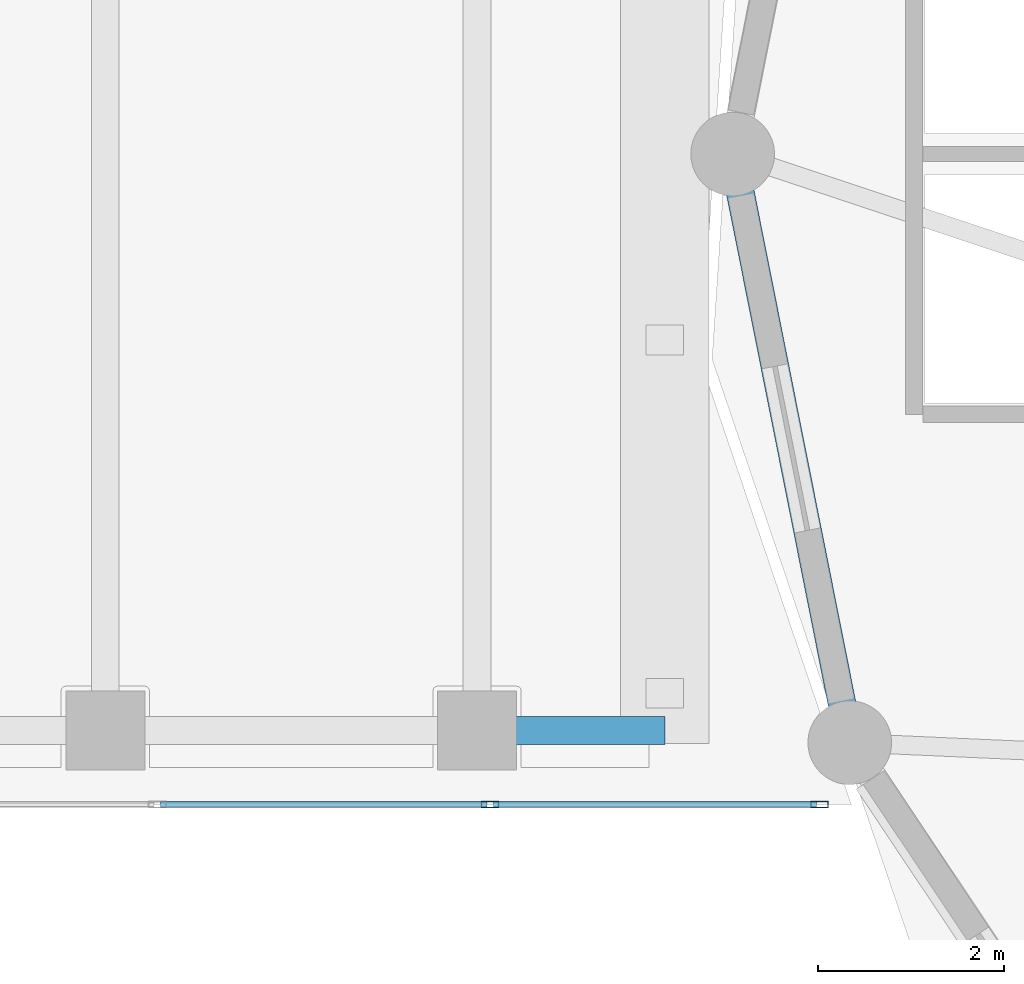
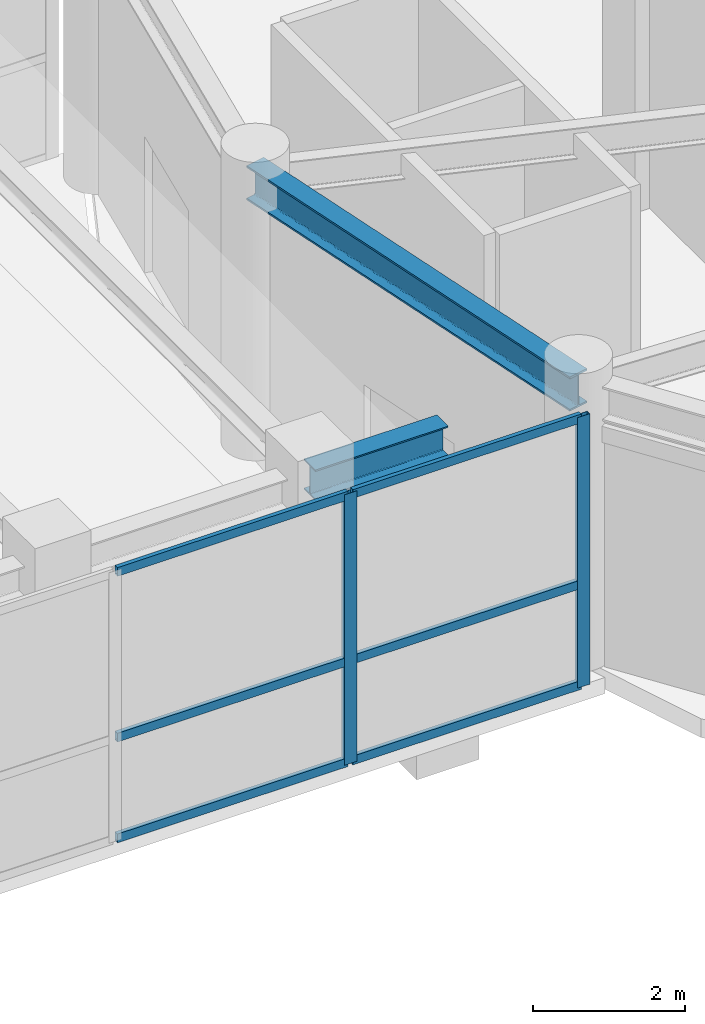
# One storey, part 20 of 44: 8 members, 2 beams, 1 element without a shape of its own.
"""IFC4 building model written with IfcOpenShell, lengths in metres."""

import ifcopenshell
import ifcopenshell.guid

model = None  # the IFC model being written
_history = None  # IfcOwnerHistory: only IFC2X3 demands one
_inside = {}  # id of a spatial element -> (the spatial element, [elements in it])
_under = {}  # id of a project, library or spatial element -> (it, [spatial elements below it])
_declared = {}  # id of a project -> (the project, [libraries it declares])
_typed = {}  # id of a type object -> (the type object, [elements of that type])
_made_of = {}  # id of a material, layer set ... -> (it, [elements and type objects made of it])


def new_model(schema):
    """Start an empty IFC model of exactly this schema.

    Asked for "IFC4X3", IfcOpenShell would pick the latest addendum, in which some entities
    have other attributes; the version numbers below select the first issue.
    IFC2X3 requires an IfcOwnerHistory on every rooted entity: one is made here for all.
    """
    global model, _history
    if schema == "IFC4X3":
        model = ifcopenshell.file(schema_version=(4, 3, 0, 0))
    else:
        model = ifcopenshell.file(schema=schema)
    _inside.clear()
    _under.clear()
    _declared.clear()
    _typed.clear()
    _made_of.clear()
    _history = None
    if model.schema == "IFC2X3":
        org = make("IfcOrganization", Name="unknown")
        user = make(
            "IfcPersonAndOrganization",
            ThePerson=make("IfcPerson", FamilyName="unknown"),
            TheOrganization=org,
        )
        app = make(
            "IfcApplication",
            ApplicationDeveloper=org,
            Version="unknown",
            ApplicationFullName="unknown",
            ApplicationIdentifier="unknown",
        )
        _history = make(
            "IfcOwnerHistory",
            OwningUser=user,
            OwningApplication=app,
            ChangeAction="ADDED",
            CreationDate=0,
        )
    return model


def make(cls, **values):
    """One entity of the class cls with the attributes given. An attribute that is None is left unset."""
    return model.create_entity(
        cls, **{name: value for name, value in values.items() if value is not None}
    )


def rooted(cls, **values):
    """An entity with a GlobalId (a new one), such as an element, a storey or a relation."""
    return make(cls, GlobalId=ifcopenshell.guid.new(), OwnerHistory=_history, **values)


def si_unit(unit_type, name, prefix=None):
    """IfcSIUnit, for example si_unit("LENGTHUNIT", "METRE", prefix="MILLI")."""
    return make("IfcSIUnit", UnitType=unit_type, Prefix=prefix, Name=name)


def derived_unit(unit_type, elements):
    """IfcDerivedUnit: a product of units, each with its exponent."""
    return make(
        "IfcDerivedUnit",
        Elements=[
            make("IfcDerivedUnitElement", Unit=unit, Exponent=power)
            for unit, power in elements
        ],
        UnitType=unit_type,
    )


def assignment(units):
    """IfcUnitAssignment: the units of a project."""
    return None if units is None else make("IfcUnitAssignment", Units=units)


def point(xyz):
    """IfcCartesianPoint."""
    return None if xyz is None else make("IfcCartesianPoint", Coordinates=xyz)


def direction(xyz):
    """IfcDirection."""
    return None if xyz is None else make("IfcDirection", DirectionRatios=xyz)


def frame(location, z_axis=None, x_axis=None):
    """IfcAxis2Placement3D, a coordinate frame: its origin and axes. An axis left out is left unset."""
    return make(
        "IfcAxis2Placement3D",
        Location=point(location),
        Axis=direction(z_axis),
        RefDirection=direction(x_axis),
    )


def frame_2d(location, x_axis=None):
    """IfcAxis2Placement2D, a coordinate frame in the plane: its origin and x axis."""
    return make(
        "IfcAxis2Placement2D", Location=point(location), RefDirection=direction(x_axis)
    )


def origin():
    """The frame at (0, 0, 0) with its axes left unset."""
    return frame((0.0, 0.0, 0.0))


def origin_2d():
    """The frame at (0, 0) in the plane with its x axis left unset."""
    return frame_2d((0.0, 0.0))


def place(relative_to, where):
    """IfcLocalPlacement: puts the frame where relative to a parent placement (None: the world)."""
    return make(
        "IfcLocalPlacement", PlacementRelTo=relative_to, RelativePlacement=where
    )


def context(
    kind, dimensions, precision=None, world=None, true_north=None, identifier=None
):
    """IfcGeometricRepresentationContext, for example the 3D "Model" context."""
    return make(
        "IfcGeometricRepresentationContext",
        ContextIdentifier=identifier,
        ContextType=kind,
        CoordinateSpaceDimension=dimensions,
        Precision=precision,
        WorldCoordinateSystem=world,
        TrueNorth=true_north,
    )


def subcontext(parent, identifier, kind, view, scale=None):
    """IfcGeometricRepresentationSubContext, for example "Body" below "Model"."""
    return make(
        "IfcGeometricRepresentationSubContext",
        ContextIdentifier=identifier,
        ContextType=kind,
        ParentContext=parent,
        TargetScale=scale,
        TargetView=view,
    )


def project(units=None, contexts=None):
    """IfcProject with its units and contexts."""
    return rooted(
        "IfcProject",
        Name="project",
        RepresentationContexts=contexts,
        UnitsInContext=assignment(units),
    )


def spatial(cls, under=None, at=None, **own):
    """A site, building, storey or space (cls), placed at a placement, below another one or the project."""
    s = rooted(cls, ObjectPlacement=at, **own)
    if under is not None:
        _under.setdefault(under.id(), (under, []))[1].append(s)
    return s


def profile(cls, at=None, kind="AREA", **sizes):
    """A parametric profile (cls). Its sizes go by their IFC names, for example OverallWidth=200.0."""
    return make(cls, ProfileType=kind, Position=at, **sizes)


def hollow_rectangle(**sizes):
    """IfcRectangleHollowProfileDef."""
    return profile("IfcRectangleHollowProfileDef", **sizes)


def i_section(**sizes):
    """IfcIShapeProfileDef."""
    return profile("IfcIShapeProfileDef", **sizes)


def extrude(swept, where, along, depth):
    """IfcExtrudedAreaSolid: the profile swept, set in the frame where, extruded along a direction by depth."""
    return make(
        "IfcExtrudedAreaSolid",
        SweptArea=swept,
        Position=where,
        ExtrudedDirection=direction(along),
        Depth=depth,
    )


def shape(context_of_items, identifier, shape_type, items):
    """IfcShapeRepresentation: the items that make up one representation, for example the "Body"."""
    return make(
        "IfcShapeRepresentation",
        ContextOfItems=context_of_items,
        RepresentationIdentifier=identifier,
        RepresentationType=shape_type,
        Items=items,
    )


def source(mapping_origin, context_of_items, identifier, shape_type, items):
    """IfcRepresentationMap: a shape defined once, which mapped items show again and again."""
    return make(
        "IfcRepresentationMap",
        MappingOrigin=mapping_origin,
        MappedRepresentation=shape(context_of_items, identifier, shape_type, items),
    )


def transform(
    local_origin,
    x_axis=None,
    y_axis=None,
    z_axis=None,
    scale=None,
    scale2=None,
    scale3=None,
    uniform=True,
):
    """IfcCartesianTransformationOperator3D, or its non-uniform kind. x_axis, y_axis, z_axis: its Axis1, 2, 3."""
    if uniform:
        return make(
            "IfcCartesianTransformationOperator3D",
            Axis1=direction(x_axis),
            Axis2=direction(y_axis),
            LocalOrigin=point(local_origin),
            Scale=scale,
            Axis3=direction(z_axis),
        )
    return make(
        "IfcCartesianTransformationOperator3DnonUniform",
        Axis1=direction(x_axis),
        Axis2=direction(y_axis),
        LocalOrigin=point(local_origin),
        Scale=scale,
        Axis3=direction(z_axis),
        Scale2=scale2,
        Scale3=scale3,
    )


def mapped(mapping_source, mapping_target):
    """IfcMappedItem: shows the shape of a source again, moved by a transform."""
    return make(
        "IfcMappedItem", MappingSource=mapping_source, MappingTarget=mapping_target
    )


def material(Name=None, Category=None):
    """IfcMaterial."""
    return make("IfcMaterial", Name=Name, Category=Category)


def layer(
    of_material, thickness, ventilated=None, Name=None, Category=None, Priority=None
):
    """IfcMaterialLayer: one layer of a wall or slab, of a material (None: an air gap)."""
    return make(
        "IfcMaterialLayer",
        Material=of_material,
        LayerThickness=thickness,
        IsVentilated=ventilated,
        Name=Name,
        Category=Category,
        Priority=Priority,
    )


def layer_set(layers, Name=None):
    """IfcMaterialLayerSet."""
    return make("IfcMaterialLayerSet", MaterialLayers=layers, LayerSetName=Name)


def material_profile(
    of_material, cross_section, Name=None, Category=None, Priority=None
):
    """IfcMaterialProfile: a cross section and its material."""
    return make(
        "IfcMaterialProfile",
        Name=Name,
        Material=of_material,
        Profile=cross_section,
        Priority=Priority,
        Category=Category,
    )


def profile_set(profiles, Name=None, composite=None):
    """IfcMaterialProfileSet."""
    return make(
        "IfcMaterialProfileSet",
        Name=Name,
        MaterialProfiles=profiles,
        CompositeProfile=composite,
    )


def made_of(thing, what):
    """Note that an element or type object is made of a material, layer set ...; save() writes the relation."""
    if what is not None:
        _made_of.setdefault(what.id(), (what, []))[1].append(thing)
    return thing


def type_object(cls, material=None, **own):
    """A type object (cls), such as IfcWallType, which elements share."""
    return made_of(rooted(cls, **own), material)


def element(
    cls,
    number,
    at=None,
    inside=None,
    cuts=None,
    type_object=None,
    material=None,
    context=None,
    identifier="Body",
    shape_type=None,
    held_by="IfcProductDefinitionShape",
    body=None,
    shapes=None,
    **own,
):
    """One element of the class cls, such as IfcWall. Its Tag is "e" and its number.

    at: its placement. inside: the storey or other place that contains it. cuts: it is an
    opening in that element (IfcRelVoidsElement). A single representation is given by context,
    identifier, shape_type and body (its items); several are given by shapes. held_by: the class
    of the entity that holds the representations. save() writes the other relations.
    """
    e = rooted(cls, Tag="e%d" % number, ObjectPlacement=at, **own)
    if body is not None:
        shapes = [shape(context, identifier, shape_type, body)]
    if shapes is not None:
        e.Representation = make(held_by, Representations=shapes)
    if inside is not None:
        _inside.setdefault(inside.id(), (inside, []))[1].append(e)
    if cuts is not None:
        rooted(
            "IfcRelVoidsElement", RelatingBuildingElement=cuts, RelatedOpeningElement=e
        )
    if type_object is not None:
        _typed.setdefault(type_object.id(), (type_object, []))[1].append(e)
    return made_of(e, material)


def aggregate(whole, parts):
    """IfcRelAggregates: a whole, such as a stair, and the parts it consists of."""
    return rooted("IfcRelAggregates", RelatingObject=whole, RelatedObjects=parts)


def save(model, path):
    """Write the relations noted so far, then the file.

    IfcRelAggregates (storeys below a building ...), IfcRelContainedInSpatialStructure (elements
    in a storey), IfcRelDefinesByType, IfcRelAssociatesMaterial and IfcRelDeclares: one each for
    every whole, place, type object, material and project.
    """
    for whole, parts in _under.values():
        aggregate(whole, parts)
    for where, things in _inside.values():
        rooted(
            "IfcRelContainedInSpatialStructure",
            RelatedElements=things,
            RelatingStructure=where,
        )
    for kind, things in _typed.values():
        rooted("IfcRelDefinesByType", RelatedObjects=things, RelatingType=kind)
    for what, things in _made_of.values():
        rooted("IfcRelAssociatesMaterial", RelatedObjects=things, RelatingMaterial=what)
    for by, libraries in _declared.values():
        rooted("IfcRelDeclares", RelatingContext=by, RelatedDefinitions=libraries)
    model.write(path)


model = new_model("IFC4")

# Units and contexts
model_context = context("Model", 3, precision=1e-05, world=origin(), true_north=direction((0.0, 1.0)))
body_context = subcontext(model_context, "Body", "Model", "MODEL_VIEW")
ifc_project = project(units=[si_unit("LENGTHUNIT", "METRE"), si_unit("AREAUNIT", "SQUARE_METRE"), si_unit("VOLUMEUNIT", "CUBIC_METRE"), si_unit("PLANEANGLEUNIT", "RADIAN"), si_unit("MASSUNIT", "GRAM", prefix="KILO"), derived_unit("THERMALTRANSMITTANCEUNIT", [(si_unit("POWERUNIT", "WATT"), 1), (si_unit("LENGTHUNIT", "METRE"), -2), (si_unit("THERMODYNAMICTEMPERATUREUNIT", "KELVIN"), -1)])], contexts=[model_context])

# Site, building, storey
site_placement = place(None, origin())
site = spatial("IfcSite", under=ifc_project, at=site_placement, CompositionType="ELEMENT")
building_placement = place(site_placement, origin())
building = spatial("IfcBuilding", under=site, at=building_placement, Name="Korsvarv Bourse and Concert Hall", CompositionType="ELEMENT")
storey_placement = place(building_placement, frame((0.0, 0.0, 9.60009765625)))
storey = spatial("IfcBuildingStorey", under=building, at=storey_placement, Name="L02", CompositionType="ELEMENT", Elevation=9.60009765625)

# Beams
ifc_material_1 = material(Name="Steel S355", Category="steel")
ifc_material_profile_1 = material_profile(ifc_material_1, i_section(OverallWidth=0.300048828125, OverallDepth=0.489990234375, WebThickness=0.011962890625, FlangeThickness=0.02294921875, FilletRadius=0.02392578125, at=origin_2d()), Name="HEA 500")
ifc_profile_set_1 = profile_set([ifc_material_profile_1], Name="Steel S355")
beam_type_1 = type_object("IfcBeamType", Name="BM-HEA500", PredefinedType="BEAM", material=ifc_profile_set_1)
shared_shape_1 = source(origin(), body_context, "Body", "SweptSolid", [
    extrude(i_section(OverallWidth=0.300048828125, OverallDepth=0.489990234375, WebThickness=0.011962890625, FlangeThickness=0.02294921875, FilletRadius=0.02392578125, at=origin_2d()), origin(), (0.0, 0.0, 1.0), 2.02001953125),
])
beam_1_placement = place(storey_placement, frame((87.5, 29.800048828125, 4.10498046875), z_axis=(1.0, 0.0, 0.0), x_axis=(0.0, 1.0, 0.0)))
element("IfcBeam", 1, at=beam_1_placement, inside=storey, type_object=beam_type_1, Name="L02 beam B-10", PredefinedType="BEAM", context=body_context, shape_type="MappedRepresentation", body=[
    mapped(shared_shape_1, transform((0.0, 0.0, 0.0), scale=1.0)),
])
ifc_material_profile_2 = material_profile(ifc_material_1, i_section(OverallWidth=0.300048828125, OverallDepth=0.550048828125, WebThickness=0.014892578125, FlangeThickness=0.029052734375, FilletRadius=0.02392578125, at=origin_2d()), Name="HEB 550")
ifc_profile_set_2 = profile_set([ifc_material_profile_2], Name="Steel S355")
beam_type_2 = type_object("IfcBeamType", Name="BM-HEB550", PredefinedType="BEAM", material=ifc_profile_set_2)
shared_shape_2 = source(origin(), body_context, "Body", "SweptSolid", [
    extrude(i_section(OverallWidth=0.300048828125, OverallDepth=0.550048828125, WebThickness=0.014892578125, FlangeThickness=0.029052734375, FilletRadius=0.02392578125, at=origin_2d()), origin(), (0.0, 0.0, 1.0), 6.45751953125),
])
beam_2_placement = place(storey_placement, frame((90.25, 36.0, 4.224853515625), z_axis=(0.195083607229, -0.980786616034, 0.0), x_axis=(0.980786616034, 0.195083607229, 0.0)))
element("IfcBeam", 2, at=beam_2_placement, inside=storey, type_object=beam_type_2, Name="L02 beam B-06", PredefinedType="BEAM", context=body_context, shape_type="MappedRepresentation", body=[
    mapped(shared_shape_2, transform((0.0, 0.0, 0.0), scale=1.0)),
])

# Curtain wall, members
ifc_material_2 = material(Name="Anodised aluminium and triple low-E glazing", Category="glass")
ifc_layer = layer(ifc_material_2, 0.239990234375)
ifc_layer_set = layer_set([ifc_layer], Name="Anodised aluminium and triple low-E glazing")
curtain_wall_type = type_object("IfcCurtainWallType", Name="CW-SYS-5", PredefinedType="NOTDEFINED", material=ifc_layer_set)
curtain_wall_placement = place(storey_placement, origin())
curtain_wall = element("IfcCurtainWall", 3, at=curtain_wall_placement, inside=storey, type_object=curtain_wall_type, Name="L02 CW5 curtain wall CW-L02-LKS", PredefinedType="NOTDEFINED")
ifc_material_3 = material(Name="Extruded aluminium EN AW-6063 T66", Category="aluminium")
ifc_material_profile_3 = material_profile(ifc_material_3, hollow_rectangle(XDim=0.06494140625, YDim=0.139892578125, WallThickness=0.00390625, at=origin_2d()), Name="ALU-T 65x140")
ifc_profile_set_3 = profile_set([ifc_material_profile_3], Name="Extruded aluminium EN AW-6063 T66")
member_type_1 = type_object("IfcMemberType", Name="CWT-140", PredefinedType="USERDEFINED", material=ifc_profile_set_3)
shared_shape_3 = source(origin(), body_context, "Body", "SweptSolid", [
    extrude(hollow_rectangle(XDim=0.06494140625, YDim=0.139892578125, WallThickness=0.00390625, at=origin_2d()), origin(), (0.0, 0.0, 1.0), 3.510009765625),
])
member_1_placement = place(storey_placement, frame((84.094970703125, 29.0, 0.032470703125), z_axis=(1.0, 0.0, 0.0), x_axis=(0.0, 1.0, 0.0)))
member_1 = element("IfcMember", 4, at=member_1_placement, type_object=member_type_1, Name="CW5 transom 6.1", ObjectType="TRANSOM", PredefinedType="USERDEFINED", context=body_context, shape_type="MappedRepresentation", body=[
    mapped(shared_shape_3, transform((0.0, 0.0, 0.0), scale=1.0)),
])
member_2_placement = place(storey_placement, frame((84.094970703125, 29.0, 1.65283203125), z_axis=(1.0, 0.0, 0.0), x_axis=(0.0, 1.0, 0.0)))
member_2 = element("IfcMember", 5, at=member_2_placement, type_object=member_type_1, Name="CW5 transom 6.2", ObjectType="TRANSOM", PredefinedType="USERDEFINED", context=body_context, shape_type="MappedRepresentation", body=[
    mapped(shared_shape_3, transform((0.0, 0.0, 0.0), scale=1.0)),
])
member_3_placement = place(storey_placement, frame((84.094970703125, 29.0, 4.3173828125), z_axis=(1.0, 0.0, 0.0), x_axis=(0.0, 1.0, 0.0)))
member_3 = element("IfcMember", 6, at=member_3_placement, type_object=member_type_1, Name="CW5 transom 6.3", ObjectType="TRANSOM", PredefinedType="USERDEFINED", context=body_context, shape_type="MappedRepresentation", body=[
    mapped(shared_shape_3, transform((0.0, 0.0, 0.0), scale=1.0)),
])
shared_shape_4 = source(origin(), body_context, "Body", "SweptSolid", [
    extrude(hollow_rectangle(XDim=0.06494140625, YDim=0.139892578125, WallThickness=0.00390625, at=origin_2d()), origin(), (0.0, 0.0, 1.0), 3.474853515625),
])
member_4_placement = place(storey_placement, frame((87.675048828125, 29.0, 0.032470703125), z_axis=(1.0, 0.0, 0.0), x_axis=(0.0, 1.0, 0.0)))
member_4 = element("IfcMember", 7, at=member_4_placement, type_object=member_type_1, Name="CW5 transom 7.1", ObjectType="TRANSOM", PredefinedType="USERDEFINED", context=body_context, shape_type="MappedRepresentation", body=[
    mapped(shared_shape_4, transform((0.0, 0.0, 0.0), scale=1.0)),
])
member_5_placement = place(storey_placement, frame((87.675048828125, 29.0, 1.65283203125), z_axis=(1.0, 0.0, 0.0), x_axis=(0.0, 1.0, 0.0)))
member_5 = element("IfcMember", 8, at=member_5_placement, type_object=member_type_1, Name="CW5 transom 7.2", ObjectType="TRANSOM", PredefinedType="USERDEFINED", context=body_context, shape_type="MappedRepresentation", body=[
    mapped(shared_shape_4, transform((0.0, 0.0, 0.0), scale=1.0)),
])
member_6_placement = place(storey_placement, frame((87.675048828125, 29.0, 4.3173828125), z_axis=(1.0, 0.0, 0.0), x_axis=(0.0, 1.0, 0.0)))
member_6 = element("IfcMember", 9, at=member_6_placement, type_object=member_type_1, Name="CW5 transom 7.3", ObjectType="TRANSOM", PredefinedType="USERDEFINED", context=body_context, shape_type="MappedRepresentation", body=[
    mapped(shared_shape_4, transform((0.0, 0.0, 0.0), scale=1.0)),
])
ifc_material_profile_4 = material_profile(ifc_material_3, hollow_rectangle(XDim=0.070068359375, YDim=0.18994140625, WallThickness=0.0048828125, at=origin_2d()), Name="ALU-M 70x190")
ifc_profile_set_4 = profile_set([ifc_material_profile_4], Name="Extruded aluminium EN AW-6063 T66")
member_type_2 = type_object("IfcMemberType", Name="CWM-190", PredefinedType="MULLION", material=ifc_profile_set_4)
shared_shape_5 = source(origin(), body_context, "Body", "SweptSolid", [
    extrude(hollow_rectangle(XDim=0.070068359375, YDim=0.18994140625, WallThickness=0.0048828125, at=origin_2d()), origin(), (0.0, 0.0, 1.0), 4.349853515625),
])
member_7_placement = place(storey_placement, frame((87.639892578125, 29.0, 0.0), z_axis=(0.0, 0.0, 1.0), x_axis=(0.0, 1.0, 0.0)))
member_7 = element("IfcMember", 10, at=member_7_placement, type_object=member_type_2, Name="CW5 mullion 7", PredefinedType="MULLION", context=body_context, shape_type="MappedRepresentation", body=[
    mapped(shared_shape_5, transform((0.0, 0.0, 0.0), scale=1.0)),
])
member_8_placement = place(storey_placement, frame((91.18505859375, 29.0, 0.0), z_axis=(0.0, 0.0, 1.0), x_axis=(0.0, 1.0, 0.0)))
member_8 = element("IfcMember", 11, at=member_8_placement, type_object=member_type_2, Name="CW5 mullion 8", PredefinedType="MULLION", context=body_context, shape_type="MappedRepresentation", body=[
    mapped(shared_shape_5, transform((0.0, 0.0, 0.0), scale=1.0)),
])
aggregate(curtain_wall, [member_7, member_8, member_1, member_2, member_3, member_4, member_5, member_6])

save(model, "model.ifc")
